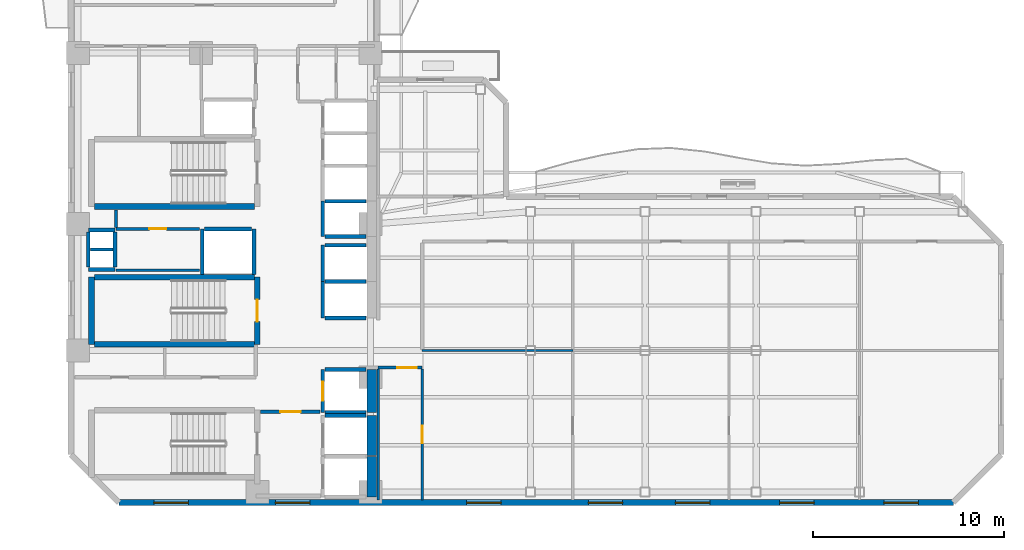
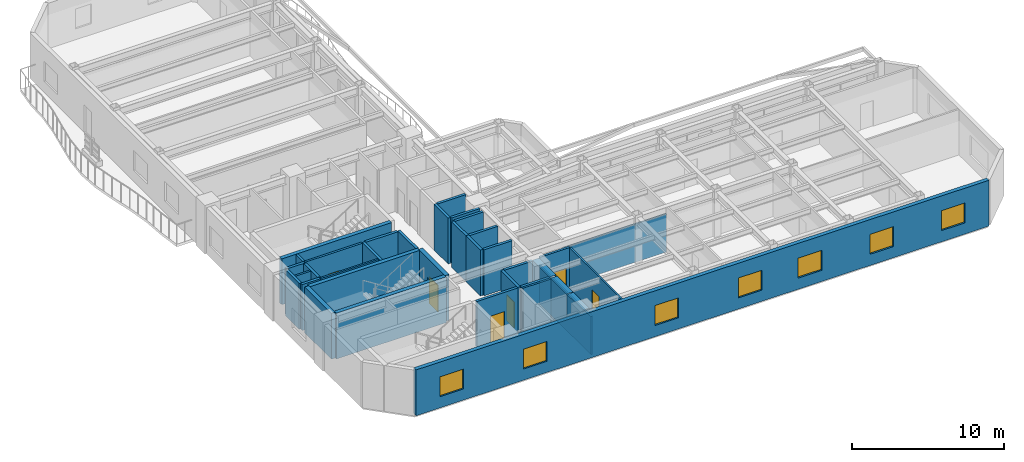
# One storey, part 3 of 10: 37 walls, 7 windows, 6 doors, 13 openings.
"""IFC4 building model written with IfcOpenShell, lengths in metres."""

from ifc_helpers import new_model, si_unit, direction, frame, frame_2d, origin, place, context, subcontext, project, spatial, rectangle, extrude, material, layer, layer_set, type_object, element, fill, save


model = new_model("IFC4")

# Units and contexts
model_context = context("Model", 3, precision=1e-05, world=origin(), true_north=direction((0.0, 1.0)))
body_context = subcontext(model_context, "Body", "Model", "MODEL_VIEW")
ifc_project = project(units=[si_unit("LENGTHUNIT", "METRE"), si_unit("AREAUNIT", "SQUARE_METRE"), si_unit("VOLUMEUNIT", "CUBIC_METRE"), si_unit("PLANEANGLEUNIT", "RADIAN"), si_unit("MASSUNIT", "GRAM", prefix="KILO")], contexts=[model_context])

# Site, building, storey
site_placement = place(None, origin())
site = spatial("IfcSite", under=ifc_project, at=site_placement, CompositionType="ELEMENT")
building_placement = place(site_placement, origin())
building = spatial("IfcBuilding", under=site, at=building_placement, Name="Mawjaban Terraces University", CompositionType="ELEMENT")
storey_placement = place(building_placement, frame((0.0, 0.0, 158.0)))
storey = spatial("IfcBuildingStorey", under=building, at=storey_placement, Name="L38", CompositionType="ELEMENT", Elevation=158.0)

# Walls
ifc_material_1 = material(Name="Concrete C60/75", Category="concrete")
ifc_layer_1 = layer(ifc_material_1, 0.5)
ifc_layer_set_1 = layer_set([ifc_layer_1], Name="Concrete C60/75")
wall_type_1 = type_object("IfcWallType", Name="CoreShearWall_500", PredefinedType="SHEAR", material=ifc_layer_set_1)
wall_1_placement = place(storey_placement, frame((37.699951171875, 0.300048828125, 0.0), z_axis=(0.0, 0.0, 1.0), x_axis=(0.0, 1.0, 0.0)))
element("IfcWall", 1, at=wall_1_placement, inside=storey, type_object=wall_type_1, Name="L38 Lift FL-1 Hoistway Wall East", PredefinedType="SHEAR", context=body_context, shape_type="SweptSolid", body=[
    extrude(rectangle(XDim=2.099853515625, YDim=0.5, at=frame_2d((1.0498046875, 0.0))), origin(), (0.0, 0.0, 1.0), 3.68994140625),
])
wall_2_placement = place(storey_placement, frame((37.699951171875, 2.449951171875, 0.0), z_axis=(0.0, 0.0, 1.0), x_axis=(0.0, 1.0, 0.0)))
element("IfcWall", 2, at=wall_2_placement, inside=storey, type_object=wall_type_1, Name="L38 Lift FL-2 Hoistway Wall East", PredefinedType="SHEAR", context=body_context, shape_type="SweptSolid", body=[
    extrude(rectangle(XDim=2.10009765625, YDim=0.5, at=frame_2d((1.050048828125, 0.0))), origin(), (0.0, 0.0, 1.0), 3.68994140625),
])
wall_3_placement = place(storey_placement, frame((37.699951171875, 4.699951171875, 0.0), z_axis=(0.0, 0.0, 1.0), x_axis=(0.0, 1.0, 0.0)))
element("IfcWall", 3, at=wall_3_placement, inside=storey, type_object=wall_type_1, Name="L38 Lift SL-1 Hoistway Wall East", PredefinedType="SHEAR", context=body_context, shape_type="SweptSolid", body=[
    extrude(rectangle(XDim=2.25, YDim=0.5, at=frame_2d((1.125, 0.0))), origin(), (0.0, 0.0, 1.0), 3.68994140625),
])

# Wall, opening, door
ifc_material_2 = material(Name="Fire-rated gypsum board on steel stud", Category="steel")
ifc_layer_2 = layer(ifc_material_2, 0.159912109375)
ifc_layer_set_2 = layer_set([ifc_layer_2], Name="Fire-rated gypsum board on steel stud")
wall_type_2 = type_object("IfcWallType", Name="CorridorPartition_160", PredefinedType="PARTITIONING", material=ifc_layer_set_2)
wall_4_placement = place(storey_placement, frame((24.35009765625, 14.300048828125, 0.0), z_axis=(0.0, 0.0, 1.0), x_axis=(1.0, 0.0, 0.0)))
wall_4 = element("IfcWall", 4, at=wall_4_placement, inside=storey, type_object=wall_type_2, Name="L38 Core Riser Access Passage Partition 2", PredefinedType="PARTITIONING", context=body_context, shape_type="SweptSolid", body=[
    extrude(rectangle(XDim=4.369873046875, YDim=0.159912109375, at=frame_2d((2.18505859375, 0.0))), origin(), (0.0, 0.0, 1.0), 3.68994140625),
])
opening_1_placement = place(wall_4_placement, frame((1.7451171875, 0.0, 0.0)))
opening_1 = element("IfcOpeningElement", 5, at=opening_1_placement, cuts=wall_4, Name="Opening ID-088", PredefinedType="OPENING", context=body_context, shape_type="SweptSolid", body=[
    extrude(rectangle(XDim=0.8798828125, YDim=2.10009765625, at=frame_2d((0.43994140625, 1.050048828125))), frame((0.0, 0.08984375, 0.0), z_axis=(0.0, -1.0, 0.0), x_axis=(1.0, 0.0, 0.0)), (0.0, 0.0, 1.0), 0.179931640625),
])
ifc_material_3 = material(Name="Powder-coated steel frame and solid acoustic timber leaf", Category="steel")
door_type_1 = type_object("IfcDoorType", Name="ToiletDoor_880x2100", OperationType="NOTDEFINED", PredefinedType="DOOR", material=ifc_material_3)
door_1_placement = place(opening_1_placement, origin())
door_1 = element("IfcDoor", 6, at=door_1_placement, inside=storey, type_object=door_type_1, Name="L38 Ablution Room Door", OperationType="SINGLE_SWING_RIGHT", OverallHeight=2.10009765625, OverallWidth=0.8798828125, PredefinedType="DOOR", context=body_context, shape_type="SweptSolid", body=[
    extrude(rectangle(XDim=0.8798828125, YDim=2.10009765625, at=frame_2d((0.43994140625, 1.050048828125))), frame((0.0, 0.02490234375, 0.0), z_axis=(0.0, -1.0, 0.0), x_axis=(1.0, 0.0, 0.0)), (0.0, 0.0, 1.0), 0.050048828125),
])
fill(opening_1, door_1)

wall_5_placement = place(storey_placement, frame((38.050048828125, 7.050048828125, 0.0), z_axis=(0.0, 0.0, 1.0), x_axis=(1.0, 0.0, 0.0)))
wall_5 = element("IfcWall", 7, at=wall_5_placement, inside=storey, type_object=wall_type_2, Name="L38 Inner Gallery Link Corridor Partition 16", PredefinedType="PARTITIONING", context=body_context, shape_type="SweptSolid", body=[
    extrude(rectangle(XDim=2.300048828125, YDim=0.159912109375, at=frame_2d((1.14990234375, 0.0))), origin(), (0.0, 0.0, 1.0), 3.68994140625),
])
opening_2_placement = place(wall_5_placement, frame((1.0, 0.0, 0.0)))
opening_2 = element("IfcOpeningElement", 8, at=opening_2_placement, cuts=wall_5, Name="Opening ID-100", PredefinedType="OPENING", context=body_context, shape_type="SweptSolid", body=[
    extrude(rectangle(XDim=1.0, YDim=2.10009765625, at=frame_2d((0.5, 1.050048828125))), frame((0.0, 0.08984375, 0.0), z_axis=(0.0, -1.0, 0.0), x_axis=(1.0, 0.0, 0.0)), (0.0, 0.0, 1.0), 0.179931640625),
])
door_type_2 = type_object("IfcDoorType", Name="ClassroomDoor_1000x2100", OperationType="NOTDEFINED", PredefinedType="DOOR", material=ifc_material_3)
door_2_placement = place(opening_2_placement, origin())
door_2 = element("IfcDoor", 9, at=door_2_placement, inside=storey, type_object=door_type_2, Name="L38 Tutorial Room 1 Door", OperationType="SINGLE_SWING_LEFT", OverallHeight=2.10009765625, OverallWidth=1.0, PredefinedType="DOOR", context=body_context, shape_type="SweptSolid", body=[
    extrude(rectangle(XDim=1.0, YDim=2.10009765625, at=frame_2d((0.5, 1.050048828125))), frame((0.0, 0.02490234375, 0.0), z_axis=(0.0, -1.0, 0.0), x_axis=(1.0, 0.0, 0.0)), (0.0, 0.0, 1.0), 0.050048828125),
])
fill(opening_2, door_2)

# Wall
wall_6_placement = place(storey_placement, frame((24.35009765625, 15.2900390625, 0.0), z_axis=(0.0, 0.0, 1.0), x_axis=(0.0, -1.0, 0.0)))
element("IfcWall", 10, at=wall_6_placement, inside=storey, type_object=wall_type_2, Name="L38 Core Riser Access Passage Partition 27", PredefinedType="PARTITIONING", context=body_context, shape_type="SweptSolid", body=[
    extrude(rectangle(XDim=0.9150390625, YDim=0.159912109375, at=frame_2d((0.45751953125, 0.0))), origin(), (0.0, 0.0, 1.0), 3.68994140625),
])

# Wall, openings, windows
ifc_material_4 = material(Name="Insulated terracotta rainscreen on concrete backup C40/50", Category="masonry")
ifc_layer_3 = layer(ifc_material_4, 0.300048828125)
ifc_layer_set_3 = layer_set([ifc_layer_3], Name="Insulated terracotta rainscreen on concrete backup C40/50")
wall_type_3 = type_object("IfcWallType", Name="ExtTerracottaWall_300", PredefinedType="SOLIDWALL", material=ifc_layer_set_3)
wall_7_placement = place(storey_placement, frame((24.5, 0.0, 0.0), z_axis=(0.0, 0.0, 1.0), x_axis=(1.0, 0.0, 0.0)))
wall_7 = element("IfcWall", 11, at=wall_7_placement, inside=storey, type_object=wall_type_3, Name="L38 Exterior Terracotta Wall 1", PredefinedType="SOLIDWALL", context=body_context, shape_type="SweptSolid", body=[
    extrude(rectangle(XDim=43.60009765625, YDim=0.300048828125, at=frame_2d((21.800048828125, 0.0))), origin(), (0.0, 0.0, 1.0), 3.68994140625),
])
opening_3_placement = place(wall_7_placement, frame((1.824951171875, 0.0, 0.89990234375)))
opening_3 = element("IfcOpeningElement", 12, at=opening_3_placement, cuts=wall_7, Name="Opening W-03", PredefinedType="OPENING", context=body_context, shape_type="SweptSolid", body=[
    extrude(rectangle(XDim=1.800048828125, YDim=1.60009765625, at=frame_2d((0.89990234375, 0.800048828125))), frame((0.0, 0.159912109375, 0.0), z_axis=(0.0, -1.0, 0.0), x_axis=(1.0, 0.0, 0.0)), (0.0, 0.0, 1.0), 0.320068359375),
])
opening_4_placement = place(wall_7_placement, frame((8.175048828125, 0.0, 0.89990234375)))
opening_4 = element("IfcOpeningElement", 13, at=opening_4_placement, cuts=wall_7, Name="Opening W-03", PredefinedType="OPENING", context=body_context, shape_type="SweptSolid", body=[
    extrude(rectangle(XDim=1.800048828125, YDim=1.60009765625, at=frame_2d((0.89990234375, 0.800048828125))), frame((0.0, 0.159912109375, 0.0), z_axis=(0.0, -1.0, 0.0), x_axis=(1.0, 0.0, 0.0)), (0.0, 0.0, 1.0), 0.320068359375),
])
opening_5_placement = place(wall_7_placement, frame((18.175048828125, 0.0, 0.89990234375)))
opening_5 = element("IfcOpeningElement", 14, at=opening_5_placement, cuts=wall_7, Name="Opening W-03", PredefinedType="OPENING", context=body_context, shape_type="SweptSolid", body=[
    extrude(rectangle(XDim=1.800048828125, YDim=1.60009765625, at=frame_2d((0.89990234375, 0.800048828125))), frame((0.0, 0.159912109375, 0.0), z_axis=(0.0, -1.0, 0.0), x_axis=(1.0, 0.0, 0.0)), (0.0, 0.0, 1.0), 0.320068359375),
])
opening_6_placement = place(wall_7_placement, frame((24.52490234375, 0.0, 0.89990234375)))
opening_6 = element("IfcOpeningElement", 15, at=opening_6_placement, cuts=wall_7, Name="Opening W-03", PredefinedType="OPENING", context=body_context, shape_type="SweptSolid", body=[
    extrude(rectangle(XDim=1.800048828125, YDim=1.60009765625, at=frame_2d((0.89990234375, 0.800048828125))), frame((0.0, 0.159912109375, 0.0), z_axis=(0.0, -1.0, 0.0), x_axis=(1.0, 0.0, 0.0)), (0.0, 0.0, 1.0), 0.320068359375),
])
opening_7_placement = place(wall_7_placement, frame((29.074951171875, 0.0, 0.89990234375)))
opening_7 = element("IfcOpeningElement", 16, at=opening_7_placement, cuts=wall_7, Name="Opening W-03", PredefinedType="OPENING", context=body_context, shape_type="SweptSolid", body=[
    extrude(rectangle(XDim=1.800048828125, YDim=1.60009765625, at=frame_2d((0.89990234375, 0.800048828125))), frame((0.0, 0.159912109375, 0.0), z_axis=(0.0, -1.0, 0.0), x_axis=(1.0, 0.0, 0.0)), (0.0, 0.0, 1.0), 0.320068359375),
])
opening_8_placement = place(wall_7_placement, frame((34.52490234375, 0.0, 0.89990234375)))
opening_8 = element("IfcOpeningElement", 17, at=opening_8_placement, cuts=wall_7, Name="Opening W-03", PredefinedType="OPENING", context=body_context, shape_type="SweptSolid", body=[
    extrude(rectangle(XDim=1.800048828125, YDim=1.60009765625, at=frame_2d((0.89990234375, 0.800048828125))), frame((0.0, 0.159912109375, 0.0), z_axis=(0.0, -1.0, 0.0), x_axis=(1.0, 0.0, 0.0)), (0.0, 0.0, 1.0), 0.320068359375),
])
opening_9_placement = place(wall_7_placement, frame((39.97509765625, 0.0, 0.89990234375)))
opening_9 = element("IfcOpeningElement", 18, at=opening_9_placement, cuts=wall_7, Name="Opening W-03", PredefinedType="OPENING", context=body_context, shape_type="SweptSolid", body=[
    extrude(rectangle(XDim=1.800048828125, YDim=1.60009765625, at=frame_2d((0.89990234375, 0.800048828125))), frame((0.0, 0.159912109375, 0.0), z_axis=(0.0, -1.0, 0.0), x_axis=(1.0, 0.0, 0.0)), (0.0, 0.0, 1.0), 0.320068359375),
])
ifc_material_5 = material(Name="Low-E solar-control double glazing in thermally broken aluminium frame", Category="aluminium")
window_type = type_object("IfcWindowType", Name="Win_1800x1600", PartitioningType="SINGLE_PANEL", PredefinedType="WINDOW", material=ifc_material_5)
window_1_placement = place(opening_3_placement, origin())
window_1 = element("IfcWindow", 19, at=window_1_placement, inside=storey, type_object=window_type, Name="L38 Facade Window 1.1", OverallHeight=1.60009765625, OverallWidth=1.800048828125, PartitioningType="SINGLE_PANEL", PredefinedType="WINDOW", context=body_context, shape_type="SweptSolid", body=[
    extrude(rectangle(XDim=1.800048828125, YDim=1.60009765625, at=frame_2d((0.89990234375, 0.800048828125))), frame((0.0, 0.030029296875, 0.0), z_axis=(0.0, -1.0, 0.0), x_axis=(1.0, 0.0, 0.0)), (0.0, 0.0, 1.0), 0.06005859375),
])
fill(opening_3, window_1)
window_2_placement = place(opening_4_placement, origin())
window_2 = element("IfcWindow", 20, at=window_2_placement, inside=storey, type_object=window_type, Name="L38 Facade Window 1.2", OverallHeight=1.60009765625, OverallWidth=1.800048828125, PartitioningType="SINGLE_PANEL", PredefinedType="WINDOW", context=body_context, shape_type="SweptSolid", body=[
    extrude(rectangle(XDim=1.800048828125, YDim=1.60009765625, at=frame_2d((0.89990234375, 0.800048828125))), frame((0.0, 0.030029296875, 0.0), z_axis=(0.0, -1.0, 0.0), x_axis=(1.0, 0.0, 0.0)), (0.0, 0.0, 1.0), 0.06005859375),
])
fill(opening_4, window_2)
window_3_placement = place(opening_5_placement, origin())
window_3 = element("IfcWindow", 21, at=window_3_placement, inside=storey, type_object=window_type, Name="L38 Facade Window 1.4", OverallHeight=1.60009765625, OverallWidth=1.800048828125, PartitioningType="SINGLE_PANEL", PredefinedType="WINDOW", context=body_context, shape_type="SweptSolid", body=[
    extrude(rectangle(XDim=1.800048828125, YDim=1.60009765625, at=frame_2d((0.89990234375, 0.800048828125))), frame((0.0, 0.030029296875, 0.0), z_axis=(0.0, -1.0, 0.0), x_axis=(1.0, 0.0, 0.0)), (0.0, 0.0, 1.0), 0.06005859375),
])
fill(opening_5, window_3)
window_4_placement = place(opening_6_placement, origin())
window_4 = element("IfcWindow", 22, at=window_4_placement, inside=storey, type_object=window_type, Name="L38 Facade Window 1.5", OverallHeight=1.60009765625, OverallWidth=1.800048828125, PartitioningType="SINGLE_PANEL", PredefinedType="WINDOW", context=body_context, shape_type="SweptSolid", body=[
    extrude(rectangle(XDim=1.800048828125, YDim=1.60009765625, at=frame_2d((0.89990234375, 0.800048828125))), frame((0.0, 0.030029296875, 0.0), z_axis=(0.0, -1.0, 0.0), x_axis=(1.0, 0.0, 0.0)), (0.0, 0.0, 1.0), 0.06005859375),
])
fill(opening_6, window_4)
window_5_placement = place(opening_7_placement, origin())
window_5 = element("IfcWindow", 23, at=window_5_placement, inside=storey, type_object=window_type, Name="L38 Facade Window 1.6", OverallHeight=1.60009765625, OverallWidth=1.800048828125, PartitioningType="SINGLE_PANEL", PredefinedType="WINDOW", context=body_context, shape_type="SweptSolid", body=[
    extrude(rectangle(XDim=1.800048828125, YDim=1.60009765625, at=frame_2d((0.89990234375, 0.800048828125))), frame((0.0, 0.030029296875, 0.0), z_axis=(0.0, -1.0, 0.0), x_axis=(1.0, 0.0, 0.0)), (0.0, 0.0, 1.0), 0.06005859375),
])
fill(opening_7, window_5)
window_6_placement = place(opening_8_placement, origin())
window_6 = element("IfcWindow", 24, at=window_6_placement, inside=storey, type_object=window_type, Name="L38 Facade Window 1.7", OverallHeight=1.60009765625, OverallWidth=1.800048828125, PartitioningType="SINGLE_PANEL", PredefinedType="WINDOW", context=body_context, shape_type="SweptSolid", body=[
    extrude(rectangle(XDim=1.800048828125, YDim=1.60009765625, at=frame_2d((0.89990234375, 0.800048828125))), frame((0.0, 0.030029296875, 0.0), z_axis=(0.0, -1.0, 0.0), x_axis=(1.0, 0.0, 0.0)), (0.0, 0.0, 1.0), 0.06005859375),
])
fill(opening_8, window_6)
window_7_placement = place(opening_9_placement, origin())
window_7 = element("IfcWindow", 25, at=window_7_placement, inside=storey, type_object=window_type, Name="L38 Facade Window 1.8", OverallHeight=1.60009765625, OverallWidth=1.800048828125, PartitioningType="SINGLE_PANEL", PredefinedType="WINDOW", context=body_context, shape_type="SweptSolid", body=[
    extrude(rectangle(XDim=1.800048828125, YDim=1.60009765625, at=frame_2d((0.89990234375, 0.800048828125))), frame((0.0, 0.030029296875, 0.0), z_axis=(0.0, -1.0, 0.0), x_axis=(1.0, 0.0, 0.0)), (0.0, 0.0, 1.0), 0.06005859375),
])
fill(opening_9, window_7)

# Wall
ifc_material_6 = material(Name="Concrete C40/50", Category="concrete")
ifc_layer_4 = layer(ifc_material_6, 0.199951171875)
ifc_layer_set_4 = layer_set([ifc_layer_4], Name="Concrete C40/50")
wall_type_4 = type_object("IfcWallType", Name="FireLobbyWall_200", PredefinedType="SOLIDWALL", material=ifc_layer_set_4)
wall_8_placement = place(storey_placement, frame((37.419921875, 4.550048828125, 0.0), z_axis=(0.0, 0.0, 1.0), x_axis=(-1.0, 0.0, 0.0)))
element("IfcWall", 26, at=wall_8_placement, inside=storey, type_object=wall_type_4, Name="L38 Lift FL-2 Hoistway Wall North", PredefinedType="SOLIDWALL", context=body_context, shape_type="SweptSolid", body=[
    extrude(rectangle(XDim=2.139892578125, YDim=0.199951171875, at=frame_2d((1.06982421875, 0.0))), origin(), (0.0, 0.0, 1.0), 3.68994140625),
])

# Wall, opening, door
wall_9_placement = place(storey_placement, frame((35.14990234375, 6.949951171875, 0.0), z_axis=(0.0, 0.0, 1.0), x_axis=(0.0, -1.0, 0.0)))
wall_9 = element("IfcWall", 27, at=wall_9_placement, inside=storey, type_object=wall_type_4, Name="L38 Lift SL-1 Hoistway Wall West", PredefinedType="SOLIDWALL", context=body_context, shape_type="SweptSolid", body=[
    extrude(rectangle(XDim=2.25, YDim=0.199951171875, at=frame_2d((1.125, 0.0))), origin(), (0.0, 0.0, 1.0), 3.68994140625),
])
opening_10_placement = place(wall_9_placement, frame((0.625, 0.0, 0.0)))
opening_10 = element("IfcOpeningElement", 28, at=opening_10_placement, cuts=wall_9, Name="Opening LD-SL-1", PredefinedType="OPENING", context=body_context, shape_type="SweptSolid", body=[
    extrude(rectangle(XDim=1.0, YDim=2.10009765625, at=frame_2d((0.5, 1.050048828125))), frame((0.0, 0.10986328125, 0.0), z_axis=(0.0, -1.0, 0.0), x_axis=(1.0, 0.0, 0.0)), (0.0, 0.0, 1.0), 0.219970703125),
])
ifc_material_7 = material(Name="Powder-coated steel frame and fire-rated steel-faced leaf", Category="steel")
door_type_3 = type_object("IfcDoorType", Name="LiftLandingSliding_1000x2100", OperationType="NOTDEFINED", PredefinedType="DOOR", material=ifc_material_7)
door_3_placement = place(opening_10_placement, origin())
door_3 = element("IfcDoor", 29, at=door_3_placement, inside=storey, type_object=door_type_3, Name="L38 Lift SL-1 Sliding Landing Door", OperationType="DOUBLE_DOOR_SLIDING", OverallHeight=2.10009765625, OverallWidth=1.0, PredefinedType="DOOR", context=body_context, shape_type="SweptSolid", body=[
    extrude(rectangle(XDim=1.0, YDim=2.10009765625, at=frame_2d((0.5, 1.050048828125))), frame((0.0, 0.02490234375, 0.0), z_axis=(0.0, -1.0, 0.0), x_axis=(1.0, 0.0, 0.0)), (0.0, 0.0, 1.0), 0.050048828125),
])
fill(opening_10, door_3)

# Walls
for number, where, z_axis, x_axis, name in (
    (30, (35.280029296875, 4.699951171875, 0.0), (0.0, 0.0, 1.0), (1.0, 0.0, 0.0), "L38 Lift SL-1 Hoistway Wall South"),
    (31, (37.419921875, 6.949951171875, 0.0), (0.0, 0.0, 1.0), (-1.0, 0.0, 0.0), "L38 Lift SL-1 Hoistway Wall North"),
):
    element("IfcWall", number, at=place(storey_placement, frame(where, z_axis=z_axis, x_axis=x_axis)), inside=storey, type_object=wall_type_4, Name=name, PredefinedType="SOLIDWALL", context=body_context, shape_type="SweptSolid", body=[
        extrude(rectangle(XDim=2.139892578125, YDim=0.199951171875, at=frame_2d((1.06982421875, 0.0))), origin(), (0.0, 0.0, 1.0), 3.68994140625),
    ])
wall_10_placement = place(storey_placement, frame((35.14990234375, 11.550048828125, 0.0), z_axis=(0.0, 0.0, 1.0), x_axis=(0.0, -1.0, 0.0)))
element("IfcWall", 32, at=wall_10_placement, inside=storey, type_object=wall_type_4, Name="L38 Lift PL-H1 Hoistway Wall West", PredefinedType="SOLIDWALL", context=body_context, shape_type="SweptSolid", body=[
    extrude(rectangle(XDim=1.900146484375, YDim=0.199951171875, at=frame_2d((0.9501953125, 0.0))), origin(), (0.0, 0.0, 1.0), 3.68994140625),
])
for number, where, z_axis, x_axis, name in (
    (33, (35.280029296875, 9.64990234375, 0.0), (0.0, 0.0, 1.0), (1.0, 0.0, 0.0), "L38 Lift PL-H1 Hoistway Wall South"),
    (34, (37.419921875, 11.550048828125, 0.0), (0.0, 0.0, 1.0), (-1.0, 0.0, 0.0), "L38 Lift PL-H1 Hoistway Wall North"),
):
    element("IfcWall", number, at=place(storey_placement, frame(where, z_axis=z_axis, x_axis=x_axis)), inside=storey, type_object=wall_type_4, Name=name, PredefinedType="SOLIDWALL", context=body_context, shape_type="SweptSolid", body=[
        extrude(rectangle(XDim=2.139892578125, YDim=0.199951171875, at=frame_2d((1.06982421875, 0.0))), origin(), (0.0, 0.0, 1.0), 3.68994140625),
    ])
wall_11_placement = place(storey_placement, frame((35.14990234375, 13.449951171875, 0.0), z_axis=(0.0, 0.0, 1.0), x_axis=(0.0, -1.0, 0.0)))
element("IfcWall", 35, at=wall_11_placement, inside=storey, type_object=wall_type_4, Name="L38 Lift PL-H2 Hoistway Wall West", PredefinedType="SOLIDWALL", context=body_context, shape_type="SweptSolid", body=[
    extrude(rectangle(XDim=1.89990234375, YDim=0.199951171875, at=frame_2d((0.949951171875, 0.0))), origin(), (0.0, 0.0, 1.0), 3.68994140625),
])
wall_12_placement = place(storey_placement, frame((37.419921875, 13.449951171875, 0.0), z_axis=(0.0, 0.0, 1.0), x_axis=(-1.0, 0.0, 0.0)))
element("IfcWall", 36, at=wall_12_placement, inside=storey, type_object=wall_type_4, Name="L38 Lift PL-H2 Hoistway Wall North", PredefinedType="SOLIDWALL", context=body_context, shape_type="SweptSolid", body=[
    extrude(rectangle(XDim=2.139892578125, YDim=0.199951171875, at=frame_2d((1.06982421875, 0.0))), origin(), (0.0, 0.0, 1.0), 3.68994140625),
])
for number, where, z_axis, x_axis, name in (
    (37, (28.85009765625, 14.300048828125, 0.0), (0.0, 0.0, 1.0), (0.0, -1.0, 0.0), "L38 Lift PL-H3 Hoistway Wall West"),
    (38, (31.550048828125, 11.929931640625, 0.0), (0.0, 0.0, 1.0), (0.0, 1.0, 0.0), "L38 Lift PL-H3 Hoistway Wall East"),
):
    element("IfcWall", number, at=place(storey_placement, frame(where, z_axis=z_axis, x_axis=x_axis)), inside=storey, type_object=wall_type_4, Name=name, PredefinedType="SOLIDWALL", context=body_context, shape_type="SweptSolid", body=[
        extrude(rectangle(XDim=2.3701171875, YDim=0.199951171875, at=frame_2d((1.18505859375, 0.0))), origin(), (0.0, 0.0, 1.0), 3.68994140625),
    ])
wall_13_placement = place(storey_placement, frame((31.419921875, 14.300048828125, 0.0), z_axis=(0.0, 0.0, 1.0), x_axis=(-1.0, 0.0, 0.0)))
element("IfcWall", 39, at=wall_13_placement, inside=storey, type_object=wall_type_4, Name="L38 Lift PL-H3 Hoistway Wall North", PredefinedType="SOLIDWALL", context=body_context, shape_type="SweptSolid", body=[
    extrude(rectangle(XDim=2.43994140625, YDim=0.199951171875, at=frame_2d((1.219970703125, 0.0))), origin(), (0.0, 0.0, 1.0), 3.68994140625),
])
wall_14_placement = place(storey_placement, frame((35.14990234375, 15.75, 0.0), z_axis=(0.0, 0.0, 1.0), x_axis=(0.0, -1.0, 0.0)))
element("IfcWall", 40, at=wall_14_placement, inside=storey, type_object=wall_type_4, Name="L38 Lift OL-1 Hoistway Wall West", PredefinedType="SOLIDWALL", context=body_context, shape_type="SweptSolid", body=[
    extrude(rectangle(XDim=1.85009765625, YDim=0.199951171875, at=frame_2d((0.925048828125, 0.0))), origin(), (0.0, 0.0, 1.0), 3.68994140625),
])
for number, where, z_axis, x_axis, name in (
    (41, (35.280029296875, 13.89990234375, 0.0), (0.0, 0.0, 1.0), (1.0, 0.0, 0.0), "L38 Lift OL-1 Hoistway Wall South"),
    (42, (37.419921875, 15.75, 0.0), (0.0, 0.0, 1.0), (-1.0, 0.0, 0.0), "L38 Lift OL-1 Hoistway Wall North"),
):
    element("IfcWall", number, at=place(storey_placement, frame(where, z_axis=z_axis, x_axis=x_axis)), inside=storey, type_object=wall_type_4, Name=name, PredefinedType="SOLIDWALL", context=body_context, shape_type="SweptSolid", body=[
        extrude(rectangle(XDim=2.139892578125, YDim=0.199951171875, at=frame_2d((1.06982421875, 0.0))), origin(), (0.0, 0.0, 1.0), 3.68994140625),
    ])
for number, where, z_axis, x_axis, name in (
    (43, (22.89990234375, 14.25, 0.0), (0.0, 0.0, 1.0), (1.0, 0.0, 0.0), "L38 MEP Riser Shaft Wall N"),
    (44, (22.89990234375, 12.179931640625, 0.0), (0.0, 0.0, 1.0), (1.0, 0.0, 0.0), "L38 MEP Riser Shaft Wall S"),
):
    element("IfcWall", number, at=place(storey_placement, frame(where, z_axis=z_axis, x_axis=x_axis)), inside=storey, type_object=wall_type_4, Name=name, PredefinedType="SOLIDWALL", context=body_context, shape_type="SweptSolid", body=[
        extrude(rectangle(XDim=1.400146484375, YDim=0.199951171875, at=frame_2d((0.7001953125, 0.0))), origin(), (0.0, 0.0, 1.0), 3.68994140625),
    ])
for number, where, z_axis, x_axis, name in (
    (45, (24.300048828125, 12.300048828125, 0.0), (0.0, 0.0, 1.0), (0.0, 1.0, 0.0), "L38 MEP Riser Shaft Wall E"),
    (46, (22.89990234375, 12.300048828125, 0.0), (0.0, 0.0, 1.0), (0.0, 1.0, 0.0), "L38 MEP Riser Shaft Wall W"),
):
    element("IfcWall", number, at=place(storey_placement, frame(where, z_axis=z_axis, x_axis=x_axis)), inside=storey, type_object=wall_type_4, Name=name, PredefinedType="SOLIDWALL", context=body_context, shape_type="SweptSolid", body=[
        extrude(rectangle(XDim=1.829833984375, YDim=0.199951171875, at=frame_2d((0.9150390625, 0.0))), origin(), (0.0, 0.0, 1.0), 3.68994140625),
    ])

# Wall, opening, door
wall_15_placement = place(storey_placement, frame((35.02001953125, 4.75, 0.0), z_axis=(0.0, 0.0, 1.0), x_axis=(-1.0, 0.0, 0.0)))
wall_15 = element("IfcWall", 47, at=wall_15_placement, inside=storey, type_object=wall_type_4, Name="L38 Firefighting Lift Lobby Partition 9", PredefinedType="SOLIDWALL", context=body_context, shape_type="SweptSolid", body=[
    extrude(rectangle(XDim=3.110107421875, YDim=0.199951171875, at=frame_2d((1.55517578125, 0.0))), origin(), (0.0, 0.0, 1.0), 3.68994140625),
])
opening_11_placement = place(wall_15_placement, frame((1.030029296875, 0.0, 0.0)))
opening_11 = element("IfcOpeningElement", 48, at=opening_11_placement, cuts=wall_15, Name="Opening FD-105", PredefinedType="OPENING", context=body_context, shape_type="SweptSolid", body=[
    extrude(rectangle(XDim=1.050048828125, YDim=2.14990234375, at=frame_2d((0.52490234375, 1.074951171875))), frame((0.0, 0.10986328125, 0.0), z_axis=(0.0, -1.0, 0.0), x_axis=(1.0, 0.0, 0.0)), (0.0, 0.0, 1.0), 0.219970703125),
])
door_type_4 = type_object("IfcDoorType", Name="FireLobbyDoor_1050x2150", OperationType="NOTDEFINED", PredefinedType="DOOR", material=ifc_material_7)
door_4_placement = place(opening_11_placement, origin())
door_4 = element("IfcDoor", 49, at=door_4_placement, inside=storey, type_object=door_type_4, Name="L38 Firefighting Lift Lobby Door", OperationType="SINGLE_SWING_RIGHT", OverallHeight=2.14990234375, OverallWidth=1.050048828125, PredefinedType="DOOR", context=body_context, shape_type="SweptSolid", body=[
    extrude(rectangle(XDim=1.050048828125, YDim=2.14990234375, at=frame_2d((0.52490234375, 1.074951171875))), frame((0.0, 0.02490234375, 0.0), z_axis=(0.0, -1.0, 0.0), x_axis=(1.0, 0.0, 0.0)), (0.0, 0.0, 1.0), 0.050048828125),
])
fill(opening_11, door_4)

# Walls
ifc_material_8 = material(Name="Moisture-resistant gypsum board on steel stud", Category="steel")
ifc_layer_5 = layer(ifc_material_8, 0.14501953125)
ifc_layer_set_5 = layer_set([ifc_layer_5], Name="Moisture-resistant gypsum board on steel stud")
wall_type_5 = type_object("IfcWallType", Name="LabPartition_145", PredefinedType="PARTITIONING", material=ifc_layer_set_5)
wall_16_placement = place(storey_placement, frame((23.010009765625, 13.22509765625, 0.0), z_axis=(0.0, 0.0, 1.0), x_axis=(1.0, 0.0, 0.0)))
element("IfcWall", 50, at=wall_16_placement, inside=storey, type_object=wall_type_5, Name="L38 MEP Riser Shaft Wall M", PredefinedType="PARTITIONING", context=body_context, shape_type="SweptSolid", body=[
    extrude(rectangle(XDim=1.179931640625, YDim=0.14501953125, at=frame_2d((0.58984375, 0.0))), origin(), (0.0, 0.0, 1.0), 3.68994140625),
])
ifc_material_9 = material(Name="Gypsum plasterboard on steel stud", Category="steel")
ifc_layer_6 = layer(ifc_material_9, 0.125)
ifc_layer_set_6 = layer_set([ifc_layer_6], Name="Gypsum plasterboard on steel stud")
wall_type_6 = type_object("IfcWallType", Name="OfficePartition_125", PredefinedType="PARTITIONING", material=ifc_layer_set_6)
wall_17_placement = place(storey_placement, frame((38.050048828125, 6.97509765625, 0.0), z_axis=(0.0, 0.0, 1.0), x_axis=(0.0, -1.0, 0.0)))
element("IfcWall", 51, at=wall_17_placement, inside=storey, type_object=wall_type_6, Name="L38 Tutorial Room 1 Partition 38", PredefinedType="PARTITIONING", context=body_context, shape_type="SweptSolid", body=[
    extrude(rectangle(XDim=6.830078125, YDim=0.125, at=frame_2d((3.4150390625, 0.0))), origin(), (0.0, 0.0, 1.0), 3.073974609375),
])

# Wall, opening, door
wall_18_placement = place(storey_placement, frame((40.35009765625, 0.14501953125, 0.0), z_axis=(0.0, 0.0, 1.0), x_axis=(0.0, 1.0, 0.0)))
wall_18 = element("IfcWall", 52, at=wall_18_placement, inside=storey, type_object=wall_type_6, Name="L38 Tutorial Room 1 Partition 41", PredefinedType="PARTITIONING", context=body_context, shape_type="SweptSolid", body=[
    extrude(rectangle(XDim=6.830078125, YDim=0.125, at=frame_2d((3.4150390625, 0.0))), origin(), (0.0, 0.0, 1.0), 3.68994140625),
])
opening_12_placement = place(wall_18_placement, frame((2.965087890625, 0.0, 0.0)))
opening_12 = element("IfcOpeningElement", 53, at=opening_12_placement, cuts=wall_18, Name="Opening ID-090", PredefinedType="OPENING", context=body_context, shape_type="SweptSolid", body=[
    extrude(rectangle(XDim=0.89990234375, YDim=2.10009765625, at=frame_2d((0.449951171875, 1.050048828125))), frame((0.0, 0.072509765625, 0.0), z_axis=(0.0, -1.0, 0.0), x_axis=(1.0, 0.0, 0.0)), (0.0, 0.0, 1.0), 0.14501953125),
])
door_type_5 = type_object("IfcDoorType", Name="OfficeDoor_900x2100", OperationType="NOTDEFINED", PredefinedType="DOOR", material=ifc_material_3)
door_5_placement = place(opening_12_placement, origin())
door_5 = element("IfcDoor", 54, at=door_5_placement, inside=storey, type_object=door_type_5, Name="L38 Conference Room 2 Door", OperationType="SINGLE_SWING_RIGHT", OverallHeight=2.10009765625, OverallWidth=0.89990234375, PredefinedType="DOOR", context=body_context, shape_type="SweptSolid", body=[
    extrude(rectangle(XDim=0.89990234375, YDim=2.10009765625, at=frame_2d((0.449951171875, 1.050048828125))), frame((0.0, 0.02490234375, 0.0), z_axis=(0.0, -1.0, 0.0), x_axis=(1.0, 0.0, 0.0)), (0.0, 0.0, 1.0), 0.050048828125),
])
fill(opening_12, door_5)

# Walls
ifc_material_10 = material(Name="Acoustic operable panel partition", Category="masonry")
ifc_layer_7 = layer(ifc_material_10, 0.110107421875)
ifc_layer_set_7 = layer_set([ifc_layer_7], Name="Acoustic operable panel partition")
wall_type_7 = type_object("IfcWallType", Name="OperableSeminarWall_110", PredefinedType="MOVABLE", material=ifc_layer_set_7)
wall_19_placement = place(storey_placement, frame((48.219970703125, 7.949951171875, 0.0), z_axis=(0.0, 0.0, 1.0), x_axis=(-1.0, 0.0, 0.0)))
element("IfcWall", 55, at=wall_19_placement, inside=storey, type_object=wall_type_7, Name="L38 Conference Room 2 Partition 20", PredefinedType="MOVABLE", context=body_context, shape_type="SweptSolid", body=[
    extrude(rectangle(XDim=7.869873046875, YDim=0.110107421875, at=frame_2d((3.93505859375, 0.0))), origin(), (0.0, 0.0, 1.0), 3.073974609375),
])
ifc_layer_8 = layer(ifc_material_1, 0.300048828125)
ifc_layer_set_8 = layer_set([ifc_layer_8], Name="Concrete C60/75")
wall_type_8 = type_object("IfcWallType", Name="StairShaftWall_300", PredefinedType="SHEAR", material=ifc_layer_set_8)
for number, where, z_axis, x_axis, name in (
    (56, (23.219970703125, 15.469970703125, 0.0), (0.0, 0.0, 1.0), (1.0, 0.0, 0.0), "L38 ST-2 Stair Shaft Wall 3"),
    (57, (31.580078125, 11.780029296875, 0.0), (0.0, 0.0, 1.0), (-1.0, 0.0, 0.0), "L38 ST-3 Stair Shaft Wall 1"),
):
    element("IfcWall", number, at=place(storey_placement, frame(where, z_axis=z_axis, x_axis=x_axis)), inside=storey, type_object=wall_type_8, Name=name, PredefinedType="SHEAR", context=body_context, shape_type="SweptSolid", body=[
        extrude(rectangle(XDim=8.360107421875, YDim=0.300048828125, at=frame_2d((4.18017578125, 0.0))), origin(), (0.0, 0.0, 1.0), 3.68994140625),
    ])
wall_20_placement = place(storey_placement, frame((23.070068359375, 11.780029296875, 0.0), z_axis=(0.0, 0.0, 1.0), x_axis=(0.0, -1.0, 0.0)))
element("IfcWall", 58, at=wall_20_placement, inside=storey, type_object=wall_type_8, Name="L38 ST-3 Stair Shaft Wall 2", PredefinedType="SHEAR", context=body_context, shape_type="SweptSolid", body=[
    extrude(rectangle(XDim=3.510009765625, YDim=0.300048828125, at=frame_2d((1.7548828125, 0.0))), origin(), (0.0, 0.0, 1.0), 3.68994140625),
])
wall_21_placement = place(storey_placement, frame((23.219970703125, 8.27001953125, 0.0), z_axis=(0.0, 0.0, 1.0), x_axis=(1.0, 0.0, 0.0)))
element("IfcWall", 59, at=wall_21_placement, inside=storey, type_object=wall_type_8, Name="L38 ST-3 Stair Shaft Wall 3", PredefinedType="SHEAR", context=body_context, shape_type="SweptSolid", body=[
    extrude(rectangle(XDim=8.360107421875, YDim=0.300048828125, at=frame_2d((4.18017578125, 0.0))), origin(), (0.0, 0.0, 1.0), 3.68994140625),
])

# Wall, opening, door
wall_22_placement = place(storey_placement, frame((31.72998046875, 8.27001953125, 0.0), z_axis=(0.0, 0.0, 1.0), x_axis=(0.0, 1.0, 0.0)))
wall_22 = element("IfcWall", 60, at=wall_22_placement, inside=storey, type_object=wall_type_8, Name="L38 ST-3 Stair Shaft Wall 4", PredefinedType="SHEAR", context=body_context, shape_type="SweptSolid", body=[
    extrude(rectangle(XDim=3.510009765625, YDim=0.300048828125, at=frame_2d((1.7548828125, 0.0))), origin(), (0.0, 0.0, 1.0), 3.68994140625),
])
opening_13_placement = place(wall_22_placement, frame((1.179931640625, 0.0, 0.0)))
opening_13 = element("IfcOpeningElement", 61, at=opening_13_placement, cuts=wall_22, Name="Opening FD-115", PredefinedType="OPENING", context=body_context, shape_type="SweptSolid", body=[
    extrude(rectangle(XDim=1.14990234375, YDim=2.14990234375, at=frame_2d((0.574951171875, 1.074951171875))), frame((0.0, 0.159912109375, 0.0), z_axis=(0.0, -1.0, 0.0), x_axis=(1.0, 0.0, 0.0)), (0.0, 0.0, 1.0), 0.320068359375),
])
door_type_6 = type_object("IfcDoorType", Name="FireStairDoor_1150x2150", OperationType="NOTDEFINED", PredefinedType="DOOR", material=ifc_material_7)
door_6_placement = place(opening_13_placement, origin())
door_6 = element("IfcDoor", 62, at=door_6_placement, inside=storey, type_object=door_type_6, Name="L38 ST-3 Pressurised Stair Fire Door", OperationType="SINGLE_SWING_LEFT", OverallHeight=2.14990234375, OverallWidth=1.14990234375, PredefinedType="DOOR", context=body_context, shape_type="SweptSolid", body=[
    extrude(rectangle(XDim=1.14990234375, YDim=2.14990234375, at=frame_2d((0.574951171875, 1.074951171875))), frame((0.0, 0.02490234375, 0.0), z_axis=(0.0, -1.0, 0.0), x_axis=(1.0, 0.0, 0.0)), (0.0, 0.0, 1.0), 0.050048828125),
])
fill(opening_13, door_6)

# Wall
ifc_material_11 = material(Name="Cement-board wet-room partition", Category="masonry")
ifc_layer_9 = layer(ifc_material_11, 0.135009765625)
ifc_layer_set_9 = layer_set([ifc_layer_9], Name="Cement-board wet-room partition")
wall_type_9 = type_object("IfcWallType", Name="WetRoomPartition_135", PredefinedType="PARTITIONING", material=ifc_layer_set_9)
wall_23_placement = place(storey_placement, frame((24.35009765625, 12.14990234375, 0.0), z_axis=(0.0, 0.0, 1.0), x_axis=(1.0, 0.0, 0.0)))
element("IfcWall", 63, at=wall_23_placement, inside=storey, type_object=wall_type_9, Name="L38 Ablution Room Partition 1", PredefinedType="PARTITIONING", context=body_context, shape_type="SweptSolid", body=[
    extrude(rectangle(XDim=4.369873046875, YDim=0.135009765625, at=frame_2d((2.18505859375, 0.0))), origin(), (0.0, 0.0, 1.0), 3.68994140625),
])

save(model, "model.ifc")
